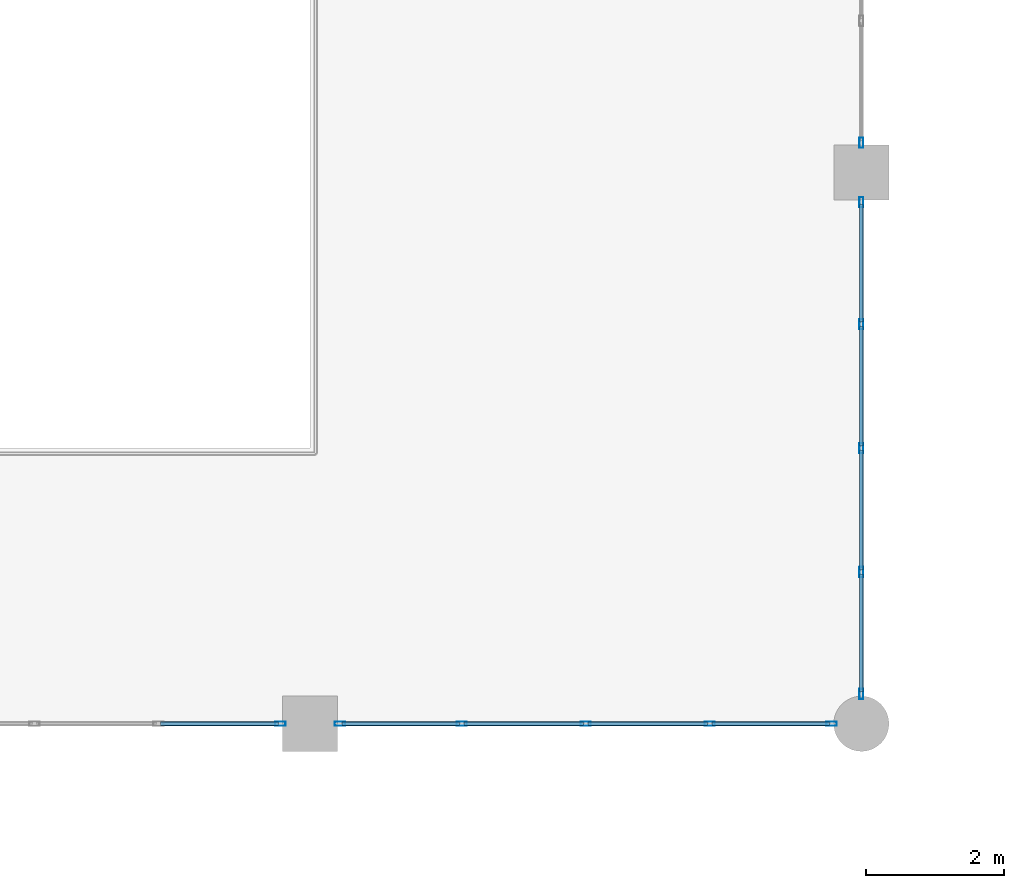
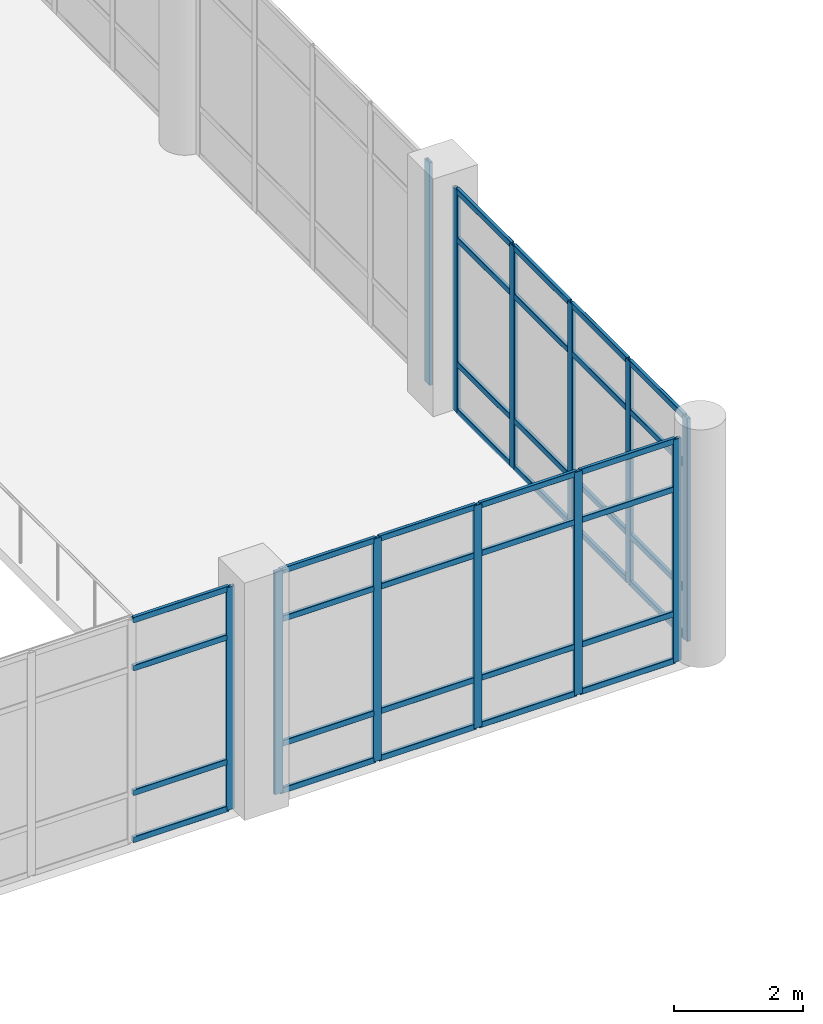
# One storey, part 21 of 42: 48 members, 4 elements without a shape of their own.
"""IFC4 building model written with IfcOpenShell, lengths in metres."""

from ifc_helpers import new_model, si_unit, direction, frame, origin, origin_2d, place, context, subcontext, project, spatial, hollow_rectangle, extrude, material, material_profile, profile_set, type_object, element, aggregate, save


model = new_model("IFC4")

# Units and contexts
model_context = context("Model", 3, precision=1e-05, world=origin(), true_north=direction((0.0, 1.0)))
body_context = subcontext(model_context, "Body", "Model", "MODEL_VIEW")
ifc_project = project(units=[si_unit("LENGTHUNIT", "METRE"), si_unit("AREAUNIT", "SQUARE_METRE"), si_unit("VOLUMEUNIT", "CUBIC_METRE"), si_unit("PLANEANGLEUNIT", "RADIAN"), si_unit("MASSUNIT", "GRAM", prefix="KILO")], contexts=[model_context])

# Site, building, storey
site_placement = place(None, origin())
site = spatial("IfcSite", under=ifc_project, at=site_placement, CompositionType="ELEMENT")
building_placement = place(site_placement, origin())
building = spatial("IfcBuilding", under=site, at=building_placement, Name="Solmirada Galleria", CompositionType="ELEMENT")
storey_placement = place(building_placement, frame((0.0, 0.0, 28.39990234375)))
storey = spatial("IfcBuildingStorey", under=building, at=storey_placement, Name="L06", CompositionType="ELEMENT", Elevation=28.39990234375)

# Curtain wall, member
ifc_material_1 = material(Name="Impact-resistant low-E double glazing", Category="glass")
curtain_wall_type = type_object("IfcCurtainWallType", Name="CW-FZ3-L06-B4-L072", PredefinedType="NOTDEFINED", material=ifc_material_1)
curtain_wall_1_placement = place(storey_placement, origin())
curtain_wall_1 = element("IfcCurtainWall", 1, at=curtain_wall_1_placement, inside=storey, type_object=curtain_wall_type, Name="Terrace and arcade storefront CW-L06-194", PredefinedType="NOTDEFINED")
ifc_material_2 = material(Name="Anodised aluminium framing", Category="aluminium")
ifc_material_profile_1 = material_profile(ifc_material_2, hollow_rectangle(XDim=0.06005859375, YDim=0.14990234375, WallThickness=0.00341796875, InnerFilletRadius=0.00341796875, OuterFilletRadius=0.007080078125, at=origin_2d()), Name="ALU-MULL-150X60")
ifc_profile_set_1 = profile_set([ifc_material_profile_1], Name="Anodised aluminium framing")
member_type_1 = type_object("IfcMemberType", Name="CW-MULL-150", PredefinedType="MULLION", material=ifc_profile_set_1)
member_1_placement = place(storey_placement, frame((112.0, 56.431884765625, 0.0), z_axis=(0.0, 0.0, 1.0), x_axis=(1.0, 0.0, 0.0)))
member_1 = element("IfcMember", 2, at=member_1_placement, type_object=member_type_1, Name="CW38 mullion 5", PredefinedType="MULLION", context=body_context, shape_type="SweptSolid", body=[
    extrude(hollow_rectangle(XDim=0.06005859375, YDim=0.14990234375, WallThickness=0.00341796875, InnerFilletRadius=0.00341796875, OuterFilletRadius=0.007080078125, at=origin_2d()), origin(), (0.0, 0.0, 1.0), 4.22021484375),
])
aggregate(curtain_wall_1, [member_1])

# Curtain wall, members
curtain_wall_2_placement = place(storey_placement, origin())
curtain_wall_2 = element("IfcCurtainWall", 3, at=curtain_wall_2_placement, inside=storey, type_object=curtain_wall_type, Name="Terrace and arcade storefront CW-L06-195", PredefinedType="NOTDEFINED")
member_2_placement = place(storey_placement, frame((112.0, 55.568115234375, 0.0), z_axis=(0.0, 0.0, 1.0), x_axis=(1.0, 0.0, 0.0)))
member_2 = element("IfcMember", 4, at=member_2_placement, type_object=member_type_1, Name="CW38 mullion 1", PredefinedType="MULLION", context=body_context, shape_type="SweptSolid", body=[
    extrude(hollow_rectangle(XDim=0.06005859375, YDim=0.14990234375, WallThickness=0.00341796875, InnerFilletRadius=0.00341796875, OuterFilletRadius=0.007080078125, at=origin_2d()), origin(), (0.0, 0.0, 1.0), 4.22021484375),
])
member_3_placement = place(storey_placement, frame((112.0, 53.799072265625, 0.0), z_axis=(0.0, 0.0, 1.0), x_axis=(1.0, 0.0, 0.0)))
member_3 = element("IfcMember", 5, at=member_3_placement, type_object=member_type_1, Name="CW38 mullion 2", PredefinedType="MULLION", context=body_context, shape_type="SweptSolid", body=[
    extrude(hollow_rectangle(XDim=0.06005859375, YDim=0.14990234375, WallThickness=0.00341796875, InnerFilletRadius=0.00341796875, OuterFilletRadius=0.007080078125, at=origin_2d()), origin(), (0.0, 0.0, 1.0), 4.22021484375),
])
member_4_placement = place(storey_placement, frame((112.0, 52.0, 0.0), z_axis=(0.0, 0.0, 1.0), x_axis=(1.0, 0.0, 0.0)))
member_4 = element("IfcMember", 6, at=member_4_placement, type_object=member_type_1, Name="CW38 mullion 3", PredefinedType="MULLION", context=body_context, shape_type="SweptSolid", body=[
    extrude(hollow_rectangle(XDim=0.06005859375, YDim=0.14990234375, WallThickness=0.00341796875, InnerFilletRadius=0.00341796875, OuterFilletRadius=0.007080078125, at=origin_2d()), origin(), (0.0, 0.0, 1.0), 4.22021484375),
])
member_5_placement = place(storey_placement, frame((112.0, 50.200927734375, 0.0), z_axis=(0.0, 0.0, 1.0), x_axis=(1.0, 0.0, 0.0)))
member_5 = element("IfcMember", 7, at=member_5_placement, type_object=member_type_1, Name="CW38 mullion 4", PredefinedType="MULLION", context=body_context, shape_type="SweptSolid", body=[
    extrude(hollow_rectangle(XDim=0.06005859375, YDim=0.14990234375, WallThickness=0.00341796875, InnerFilletRadius=0.00341796875, OuterFilletRadius=0.007080078125, at=origin_2d()), origin(), (0.0, 0.0, 1.0), 4.22021484375),
])
member_6_placement = place(storey_placement, frame((112.0, 48.431884765625, 0.0), z_axis=(0.0, 0.0, 1.0), x_axis=(1.0, 0.0, 0.0)))
member_6 = element("IfcMember", 8, at=member_6_placement, type_object=member_type_1, Name="CW38 mullion 5", PredefinedType="MULLION", context=body_context, shape_type="SweptSolid", body=[
    extrude(hollow_rectangle(XDim=0.06005859375, YDim=0.14990234375, WallThickness=0.00341796875, InnerFilletRadius=0.00341796875, OuterFilletRadius=0.007080078125, at=origin_2d()), origin(), (0.0, 0.0, 1.0), 4.22021484375),
])

curtain_wall_3_placement = place(storey_placement, origin())
curtain_wall_3 = element("IfcCurtainWall", 9, at=curtain_wall_3_placement, inside=storey, type_object=curtain_wall_type, Name="Terrace and arcade storefront CW-L06-196", PredefinedType="NOTDEFINED")
member_7_placement = place(storey_placement, frame((111.568115234375, 48.0, 0.0), z_axis=(0.0, 0.0, 1.0), x_axis=(0.0, -1.0, 0.0)))
member_7 = element("IfcMember", 10, at=member_7_placement, type_object=member_type_1, Name="CW38 mullion 1", PredefinedType="MULLION", context=body_context, shape_type="SweptSolid", body=[
    extrude(hollow_rectangle(XDim=0.06005859375, YDim=0.14990234375, WallThickness=0.00341796875, InnerFilletRadius=0.00341796875, OuterFilletRadius=0.007080078125, at=origin_2d()), origin(), (0.0, 0.0, 1.0), 4.22021484375),
])
member_8_placement = place(storey_placement, frame((109.799072265625, 48.0, 0.0), z_axis=(0.0, 0.0, 1.0), x_axis=(0.0, -1.0, 0.0)))
member_8 = element("IfcMember", 11, at=member_8_placement, type_object=member_type_1, Name="CW38 mullion 2", PredefinedType="MULLION", context=body_context, shape_type="SweptSolid", body=[
    extrude(hollow_rectangle(XDim=0.06005859375, YDim=0.14990234375, WallThickness=0.00341796875, InnerFilletRadius=0.00341796875, OuterFilletRadius=0.007080078125, at=origin_2d()), origin(), (0.0, 0.0, 1.0), 4.22021484375),
])
member_9_placement = place(storey_placement, frame((108.0, 48.0, 0.0), z_axis=(0.0, 0.0, 1.0), x_axis=(0.0, -1.0, 0.0)))
member_9 = element("IfcMember", 12, at=member_9_placement, type_object=member_type_1, Name="CW38 mullion 3", PredefinedType="MULLION", context=body_context, shape_type="SweptSolid", body=[
    extrude(hollow_rectangle(XDim=0.06005859375, YDim=0.14990234375, WallThickness=0.00341796875, InnerFilletRadius=0.00341796875, OuterFilletRadius=0.007080078125, at=origin_2d()), origin(), (0.0, 0.0, 1.0), 4.22021484375),
])
member_10_placement = place(storey_placement, frame((106.200927734375, 48.0, 0.0), z_axis=(0.0, 0.0, 1.0), x_axis=(0.0, -1.0, 0.0)))
member_10 = element("IfcMember", 13, at=member_10_placement, type_object=member_type_1, Name="CW38 mullion 4", PredefinedType="MULLION", context=body_context, shape_type="SweptSolid", body=[
    extrude(hollow_rectangle(XDim=0.06005859375, YDim=0.14990234375, WallThickness=0.00341796875, InnerFilletRadius=0.00341796875, OuterFilletRadius=0.007080078125, at=origin_2d()), origin(), (0.0, 0.0, 1.0), 4.22021484375),
])
member_11_placement = place(storey_placement, frame((104.431884765625, 48.0, 0.0), z_axis=(0.0, 0.0, 1.0), x_axis=(0.0, -1.0, 0.0)))
member_11 = element("IfcMember", 14, at=member_11_placement, type_object=member_type_1, Name="CW38 mullion 5", PredefinedType="MULLION", context=body_context, shape_type="SweptSolid", body=[
    extrude(hollow_rectangle(XDim=0.06005859375, YDim=0.14990234375, WallThickness=0.00341796875, InnerFilletRadius=0.00341796875, OuterFilletRadius=0.007080078125, at=origin_2d()), origin(), (0.0, 0.0, 1.0), 4.22021484375),
])

# Curtain wall, member
curtain_wall_4_placement = place(storey_placement, origin())
curtain_wall_4 = element("IfcCurtainWall", 15, at=curtain_wall_4_placement, inside=storey, type_object=curtain_wall_type, Name="Terrace and arcade storefront CW-L06-197", PredefinedType="NOTDEFINED")
member_12_placement = place(storey_placement, frame((103.568115234375, 48.0, 0.0), z_axis=(0.0, 0.0, 1.0), x_axis=(0.0, -1.0, 0.0)))
member_12 = element("IfcMember", 16, at=member_12_placement, type_object=member_type_1, Name="CW38 mullion 1", PredefinedType="MULLION", context=body_context, shape_type="SweptSolid", body=[
    extrude(hollow_rectangle(XDim=0.06005859375, YDim=0.14990234375, WallThickness=0.00341796875, InnerFilletRadius=0.00341796875, OuterFilletRadius=0.007080078125, at=origin_2d()), origin(), (0.0, 0.0, 1.0), 4.22021484375),
])

# Member
ifc_material_profile_2 = material_profile(ifc_material_2, hollow_rectangle(XDim=0.06005859375, YDim=0.110107421875, WallThickness=0.003173828125, InnerFilletRadius=0.003173828125, OuterFilletRadius=0.00634765625, at=origin_2d()), Name="ALU-TRAN-110X60")
ifc_profile_set_2 = profile_set([ifc_material_profile_2], Name="Anodised aluminium framing")
member_type_2 = type_object("IfcMemberType", Name="CW-TRAN-110", PredefinedType="USERDEFINED", material=ifc_profile_set_2)
member_13_placement = place(storey_placement, frame((112.0, 55.5380859375, 0.030029296875), z_axis=(0.0, -1.0, 0.0), x_axis=(1.0, 0.0, 0.0)))
member_13 = element("IfcMember", 17, at=member_13_placement, type_object=member_type_2, Name="CW38 transom 1.1", ObjectType="TRANSOM", PredefinedType="USERDEFINED", context=body_context, shape_type="SweptSolid", body=[
    extrude(hollow_rectangle(XDim=0.06005859375, YDim=0.110107421875, WallThickness=0.003173828125, InnerFilletRadius=0.003173828125, OuterFilletRadius=0.00634765625, at=origin_2d()), origin(), (0.0, 0.0, 1.0), 1.708984375),
])

member_14_placement = place(storey_placement, frame((112.0, 55.5380859375, 0.920166015625), z_axis=(0.0, -1.0, 0.0), x_axis=(1.0, 0.0, 0.0)))
member_14 = element("IfcMember", 18, at=member_14_placement, type_object=member_type_2, Name="CW38 transom 1.2", ObjectType="TRANSOM", PredefinedType="USERDEFINED", context=body_context, shape_type="SweptSolid", body=[
    extrude(hollow_rectangle(XDim=0.06005859375, YDim=0.110107421875, WallThickness=0.003173828125, InnerFilletRadius=0.003173828125, OuterFilletRadius=0.00634765625, at=origin_2d()), origin(), (0.0, 0.0, 1.0), 1.708984375),
])

member_15_placement = place(storey_placement, frame((112.0, 55.5380859375, 3.280029296875), z_axis=(0.0, -1.0, 0.0), x_axis=(1.0, 0.0, 0.0)))
member_15 = element("IfcMember", 19, at=member_15_placement, type_object=member_type_2, Name="CW38 transom 1.3", ObjectType="TRANSOM", PredefinedType="USERDEFINED", context=body_context, shape_type="SweptSolid", body=[
    extrude(hollow_rectangle(XDim=0.06005859375, YDim=0.110107421875, WallThickness=0.003173828125, InnerFilletRadius=0.003173828125, OuterFilletRadius=0.00634765625, at=origin_2d()), origin(), (0.0, 0.0, 1.0), 1.708984375),
])

member_16_placement = place(storey_placement, frame((112.0, 55.5380859375, 4.190185546875), z_axis=(0.0, -1.0, 0.0), x_axis=(1.0, 0.0, 0.0)))
member_16 = element("IfcMember", 20, at=member_16_placement, type_object=member_type_2, Name="CW38 transom 1.4", ObjectType="TRANSOM", PredefinedType="USERDEFINED", context=body_context, shape_type="SweptSolid", body=[
    extrude(hollow_rectangle(XDim=0.06005859375, YDim=0.110107421875, WallThickness=0.003173828125, InnerFilletRadius=0.003173828125, OuterFilletRadius=0.00634765625, at=origin_2d()), origin(), (0.0, 0.0, 1.0), 1.708984375),
])

member_17_placement = place(storey_placement, frame((112.0, 53.76904296875, 0.030029296875), z_axis=(0.0, -1.0, 0.0), x_axis=(1.0, 0.0, 0.0)))
member_17 = element("IfcMember", 21, at=member_17_placement, type_object=member_type_2, Name="CW38 transom 2.1", ObjectType="TRANSOM", PredefinedType="USERDEFINED", context=body_context, shape_type="SweptSolid", body=[
    extrude(hollow_rectangle(XDim=0.06005859375, YDim=0.110107421875, WallThickness=0.003173828125, InnerFilletRadius=0.003173828125, OuterFilletRadius=0.00634765625, at=origin_2d()), origin(), (0.0, 0.0, 1.0), 1.739013671875),
])

member_18_placement = place(storey_placement, frame((112.0, 53.76904296875, 0.920166015625), z_axis=(0.0, -1.0, 0.0), x_axis=(1.0, 0.0, 0.0)))
member_18 = element("IfcMember", 22, at=member_18_placement, type_object=member_type_2, Name="CW38 transom 2.2", ObjectType="TRANSOM", PredefinedType="USERDEFINED", context=body_context, shape_type="SweptSolid", body=[
    extrude(hollow_rectangle(XDim=0.06005859375, YDim=0.110107421875, WallThickness=0.003173828125, InnerFilletRadius=0.003173828125, OuterFilletRadius=0.00634765625, at=origin_2d()), origin(), (0.0, 0.0, 1.0), 1.739013671875),
])

member_19_placement = place(storey_placement, frame((112.0, 53.76904296875, 3.280029296875), z_axis=(0.0, -1.0, 0.0), x_axis=(1.0, 0.0, 0.0)))
member_19 = element("IfcMember", 23, at=member_19_placement, type_object=member_type_2, Name="CW38 transom 2.3", ObjectType="TRANSOM", PredefinedType="USERDEFINED", context=body_context, shape_type="SweptSolid", body=[
    extrude(hollow_rectangle(XDim=0.06005859375, YDim=0.110107421875, WallThickness=0.003173828125, InnerFilletRadius=0.003173828125, OuterFilletRadius=0.00634765625, at=origin_2d()), origin(), (0.0, 0.0, 1.0), 1.739013671875),
])

member_20_placement = place(storey_placement, frame((112.0, 53.76904296875, 4.190185546875), z_axis=(0.0, -1.0, 0.0), x_axis=(1.0, 0.0, 0.0)))
member_20 = element("IfcMember", 24, at=member_20_placement, type_object=member_type_2, Name="CW38 transom 2.4", ObjectType="TRANSOM", PredefinedType="USERDEFINED", context=body_context, shape_type="SweptSolid", body=[
    extrude(hollow_rectangle(XDim=0.06005859375, YDim=0.110107421875, WallThickness=0.003173828125, InnerFilletRadius=0.003173828125, OuterFilletRadius=0.00634765625, at=origin_2d()), origin(), (0.0, 0.0, 1.0), 1.739013671875),
])

member_21_placement = place(storey_placement, frame((112.0, 51.969970703125, 0.030029296875), z_axis=(0.0, -1.0, 0.0), x_axis=(1.0, 0.0, 0.0)))
member_21 = element("IfcMember", 25, at=member_21_placement, type_object=member_type_2, Name="CW38 transom 3.1", ObjectType="TRANSOM", PredefinedType="USERDEFINED", context=body_context, shape_type="SweptSolid", body=[
    extrude(hollow_rectangle(XDim=0.06005859375, YDim=0.110107421875, WallThickness=0.003173828125, InnerFilletRadius=0.003173828125, OuterFilletRadius=0.00634765625, at=origin_2d()), origin(), (0.0, 0.0, 1.0), 1.739013671875),
])

member_22_placement = place(storey_placement, frame((112.0, 51.969970703125, 0.920166015625), z_axis=(0.0, -1.0, 0.0), x_axis=(1.0, 0.0, 0.0)))
member_22 = element("IfcMember", 26, at=member_22_placement, type_object=member_type_2, Name="CW38 transom 3.2", ObjectType="TRANSOM", PredefinedType="USERDEFINED", context=body_context, shape_type="SweptSolid", body=[
    extrude(hollow_rectangle(XDim=0.06005859375, YDim=0.110107421875, WallThickness=0.003173828125, InnerFilletRadius=0.003173828125, OuterFilletRadius=0.00634765625, at=origin_2d()), origin(), (0.0, 0.0, 1.0), 1.739013671875),
])

member_23_placement = place(storey_placement, frame((112.0, 51.969970703125, 3.280029296875), z_axis=(0.0, -1.0, 0.0), x_axis=(1.0, 0.0, 0.0)))
member_23 = element("IfcMember", 27, at=member_23_placement, type_object=member_type_2, Name="CW38 transom 3.3", ObjectType="TRANSOM", PredefinedType="USERDEFINED", context=body_context, shape_type="SweptSolid", body=[
    extrude(hollow_rectangle(XDim=0.06005859375, YDim=0.110107421875, WallThickness=0.003173828125, InnerFilletRadius=0.003173828125, OuterFilletRadius=0.00634765625, at=origin_2d()), origin(), (0.0, 0.0, 1.0), 1.739013671875),
])

member_24_placement = place(storey_placement, frame((112.0, 51.969970703125, 4.190185546875), z_axis=(0.0, -1.0, 0.0), x_axis=(1.0, 0.0, 0.0)))
member_24 = element("IfcMember", 28, at=member_24_placement, type_object=member_type_2, Name="CW38 transom 3.4", ObjectType="TRANSOM", PredefinedType="USERDEFINED", context=body_context, shape_type="SweptSolid", body=[
    extrude(hollow_rectangle(XDim=0.06005859375, YDim=0.110107421875, WallThickness=0.003173828125, InnerFilletRadius=0.003173828125, OuterFilletRadius=0.00634765625, at=origin_2d()), origin(), (0.0, 0.0, 1.0), 1.739013671875),
])

member_25_placement = place(storey_placement, frame((112.0, 50.1708984375, 0.030029296875), z_axis=(0.0, -1.0, 0.0), x_axis=(1.0, 0.0, 0.0)))
member_25 = element("IfcMember", 29, at=member_25_placement, type_object=member_type_2, Name="CW38 transom 4.1", ObjectType="TRANSOM", PredefinedType="USERDEFINED", context=body_context, shape_type="SweptSolid", body=[
    extrude(hollow_rectangle(XDim=0.06005859375, YDim=0.110107421875, WallThickness=0.003173828125, InnerFilletRadius=0.003173828125, OuterFilletRadius=0.00634765625, at=origin_2d()), origin(), (0.0, 0.0, 1.0), 1.708984375),
])

member_26_placement = place(storey_placement, frame((112.0, 50.1708984375, 0.920166015625), z_axis=(0.0, -1.0, 0.0), x_axis=(1.0, 0.0, 0.0)))
member_26 = element("IfcMember", 30, at=member_26_placement, type_object=member_type_2, Name="CW38 transom 4.2", ObjectType="TRANSOM", PredefinedType="USERDEFINED", context=body_context, shape_type="SweptSolid", body=[
    extrude(hollow_rectangle(XDim=0.06005859375, YDim=0.110107421875, WallThickness=0.003173828125, InnerFilletRadius=0.003173828125, OuterFilletRadius=0.00634765625, at=origin_2d()), origin(), (0.0, 0.0, 1.0), 1.708984375),
])

member_27_placement = place(storey_placement, frame((112.0, 50.1708984375, 3.280029296875), z_axis=(0.0, -1.0, 0.0), x_axis=(1.0, 0.0, 0.0)))
member_27 = element("IfcMember", 31, at=member_27_placement, type_object=member_type_2, Name="CW38 transom 4.3", ObjectType="TRANSOM", PredefinedType="USERDEFINED", context=body_context, shape_type="SweptSolid", body=[
    extrude(hollow_rectangle(XDim=0.06005859375, YDim=0.110107421875, WallThickness=0.003173828125, InnerFilletRadius=0.003173828125, OuterFilletRadius=0.00634765625, at=origin_2d()), origin(), (0.0, 0.0, 1.0), 1.708984375),
])

member_28_placement = place(storey_placement, frame((112.0, 50.1708984375, 4.190185546875), z_axis=(0.0, -1.0, 0.0), x_axis=(1.0, 0.0, 0.0)))
member_28 = element("IfcMember", 32, at=member_28_placement, type_object=member_type_2, Name="CW38 transom 4.4", ObjectType="TRANSOM", PredefinedType="USERDEFINED", context=body_context, shape_type="SweptSolid", body=[
    extrude(hollow_rectangle(XDim=0.06005859375, YDim=0.110107421875, WallThickness=0.003173828125, InnerFilletRadius=0.003173828125, OuterFilletRadius=0.00634765625, at=origin_2d()), origin(), (0.0, 0.0, 1.0), 1.708984375),
])

aggregate(curtain_wall_2, [member_2, member_3, member_4, member_5, member_6, member_13, member_14, member_15, member_16, member_17, member_18, member_19, member_20, member_21, member_22, member_23, member_24, member_25, member_26, member_27, member_28])

member_29_placement = place(storey_placement, frame((111.5380859375, 48.0, 0.030029296875), z_axis=(-1.0, 0.0, 0.0), x_axis=(0.0, -1.0, 0.0)))
member_29 = element("IfcMember", 33, at=member_29_placement, type_object=member_type_2, Name="CW38 transom 1.1", ObjectType="TRANSOM", PredefinedType="USERDEFINED", context=body_context, shape_type="SweptSolid", body=[
    extrude(hollow_rectangle(XDim=0.06005859375, YDim=0.110107421875, WallThickness=0.003173828125, InnerFilletRadius=0.003173828125, OuterFilletRadius=0.00634765625, at=origin_2d()), origin(), (0.0, 0.0, 1.0), 1.708984375),
])

member_30_placement = place(storey_placement, frame((111.5380859375, 48.0, 0.920166015625), z_axis=(-1.0, 0.0, 0.0), x_axis=(0.0, -1.0, 0.0)))
member_30 = element("IfcMember", 34, at=member_30_placement, type_object=member_type_2, Name="CW38 transom 1.2", ObjectType="TRANSOM", PredefinedType="USERDEFINED", context=body_context, shape_type="SweptSolid", body=[
    extrude(hollow_rectangle(XDim=0.06005859375, YDim=0.110107421875, WallThickness=0.003173828125, InnerFilletRadius=0.003173828125, OuterFilletRadius=0.00634765625, at=origin_2d()), origin(), (0.0, 0.0, 1.0), 1.708984375),
])

member_31_placement = place(storey_placement, frame((111.5380859375, 48.0, 3.280029296875), z_axis=(-1.0, 0.0, 0.0), x_axis=(0.0, -1.0, 0.0)))
member_31 = element("IfcMember", 35, at=member_31_placement, type_object=member_type_2, Name="CW38 transom 1.3", ObjectType="TRANSOM", PredefinedType="USERDEFINED", context=body_context, shape_type="SweptSolid", body=[
    extrude(hollow_rectangle(XDim=0.06005859375, YDim=0.110107421875, WallThickness=0.003173828125, InnerFilletRadius=0.003173828125, OuterFilletRadius=0.00634765625, at=origin_2d()), origin(), (0.0, 0.0, 1.0), 1.708984375),
])

member_32_placement = place(storey_placement, frame((111.5380859375, 48.0, 4.190185546875), z_axis=(-1.0, 0.0, 0.0), x_axis=(0.0, -1.0, 0.0)))
member_32 = element("IfcMember", 36, at=member_32_placement, type_object=member_type_2, Name="CW38 transom 1.4", ObjectType="TRANSOM", PredefinedType="USERDEFINED", context=body_context, shape_type="SweptSolid", body=[
    extrude(hollow_rectangle(XDim=0.06005859375, YDim=0.110107421875, WallThickness=0.003173828125, InnerFilletRadius=0.003173828125, OuterFilletRadius=0.00634765625, at=origin_2d()), origin(), (0.0, 0.0, 1.0), 1.708984375),
])

member_33_placement = place(storey_placement, frame((109.76904296875, 48.0, 0.030029296875), z_axis=(-1.0, 0.0, 0.0), x_axis=(0.0, -1.0, 0.0)))
member_33 = element("IfcMember", 37, at=member_33_placement, type_object=member_type_2, Name="CW38 transom 2.1", ObjectType="TRANSOM", PredefinedType="USERDEFINED", context=body_context, shape_type="SweptSolid", body=[
    extrude(hollow_rectangle(XDim=0.06005859375, YDim=0.110107421875, WallThickness=0.003173828125, InnerFilletRadius=0.003173828125, OuterFilletRadius=0.00634765625, at=origin_2d()), origin(), (0.0, 0.0, 1.0), 1.739013671875),
])

member_34_placement = place(storey_placement, frame((109.76904296875, 48.0, 0.920166015625), z_axis=(-1.0, 0.0, 0.0), x_axis=(0.0, -1.0, 0.0)))
member_34 = element("IfcMember", 38, at=member_34_placement, type_object=member_type_2, Name="CW38 transom 2.2", ObjectType="TRANSOM", PredefinedType="USERDEFINED", context=body_context, shape_type="SweptSolid", body=[
    extrude(hollow_rectangle(XDim=0.06005859375, YDim=0.110107421875, WallThickness=0.003173828125, InnerFilletRadius=0.003173828125, OuterFilletRadius=0.00634765625, at=origin_2d()), origin(), (0.0, 0.0, 1.0), 1.739013671875),
])

member_35_placement = place(storey_placement, frame((109.76904296875, 48.0, 3.280029296875), z_axis=(-1.0, 0.0, 0.0), x_axis=(0.0, -1.0, 0.0)))
member_35 = element("IfcMember", 39, at=member_35_placement, type_object=member_type_2, Name="CW38 transom 2.3", ObjectType="TRANSOM", PredefinedType="USERDEFINED", context=body_context, shape_type="SweptSolid", body=[
    extrude(hollow_rectangle(XDim=0.06005859375, YDim=0.110107421875, WallThickness=0.003173828125, InnerFilletRadius=0.003173828125, OuterFilletRadius=0.00634765625, at=origin_2d()), origin(), (0.0, 0.0, 1.0), 1.739013671875),
])

member_36_placement = place(storey_placement, frame((109.76904296875, 48.0, 4.190185546875), z_axis=(-1.0, 0.0, 0.0), x_axis=(0.0, -1.0, 0.0)))
member_36 = element("IfcMember", 40, at=member_36_placement, type_object=member_type_2, Name="CW38 transom 2.4", ObjectType="TRANSOM", PredefinedType="USERDEFINED", context=body_context, shape_type="SweptSolid", body=[
    extrude(hollow_rectangle(XDim=0.06005859375, YDim=0.110107421875, WallThickness=0.003173828125, InnerFilletRadius=0.003173828125, OuterFilletRadius=0.00634765625, at=origin_2d()), origin(), (0.0, 0.0, 1.0), 1.739013671875),
])

member_37_placement = place(storey_placement, frame((107.969970703125, 48.0, 0.030029296875), z_axis=(-1.0, 0.0, 0.0), x_axis=(0.0, -1.0, 0.0)))
member_37 = element("IfcMember", 41, at=member_37_placement, type_object=member_type_2, Name="CW38 transom 3.1", ObjectType="TRANSOM", PredefinedType="USERDEFINED", context=body_context, shape_type="SweptSolid", body=[
    extrude(hollow_rectangle(XDim=0.06005859375, YDim=0.110107421875, WallThickness=0.003173828125, InnerFilletRadius=0.003173828125, OuterFilletRadius=0.00634765625, at=origin_2d()), origin(), (0.0, 0.0, 1.0), 1.739013671875),
])

member_38_placement = place(storey_placement, frame((107.969970703125, 48.0, 0.920166015625), z_axis=(-1.0, 0.0, 0.0), x_axis=(0.0, -1.0, 0.0)))
member_38 = element("IfcMember", 42, at=member_38_placement, type_object=member_type_2, Name="CW38 transom 3.2", ObjectType="TRANSOM", PredefinedType="USERDEFINED", context=body_context, shape_type="SweptSolid", body=[
    extrude(hollow_rectangle(XDim=0.06005859375, YDim=0.110107421875, WallThickness=0.003173828125, InnerFilletRadius=0.003173828125, OuterFilletRadius=0.00634765625, at=origin_2d()), origin(), (0.0, 0.0, 1.0), 1.739013671875),
])

member_39_placement = place(storey_placement, frame((107.969970703125, 48.0, 3.280029296875), z_axis=(-1.0, 0.0, 0.0), x_axis=(0.0, -1.0, 0.0)))
member_39 = element("IfcMember", 43, at=member_39_placement, type_object=member_type_2, Name="CW38 transom 3.3", ObjectType="TRANSOM", PredefinedType="USERDEFINED", context=body_context, shape_type="SweptSolid", body=[
    extrude(hollow_rectangle(XDim=0.06005859375, YDim=0.110107421875, WallThickness=0.003173828125, InnerFilletRadius=0.003173828125, OuterFilletRadius=0.00634765625, at=origin_2d()), origin(), (0.0, 0.0, 1.0), 1.739013671875),
])

member_40_placement = place(storey_placement, frame((107.969970703125, 48.0, 4.190185546875), z_axis=(-1.0, 0.0, 0.0), x_axis=(0.0, -1.0, 0.0)))
member_40 = element("IfcMember", 44, at=member_40_placement, type_object=member_type_2, Name="CW38 transom 3.4", ObjectType="TRANSOM", PredefinedType="USERDEFINED", context=body_context, shape_type="SweptSolid", body=[
    extrude(hollow_rectangle(XDim=0.06005859375, YDim=0.110107421875, WallThickness=0.003173828125, InnerFilletRadius=0.003173828125, OuterFilletRadius=0.00634765625, at=origin_2d()), origin(), (0.0, 0.0, 1.0), 1.739013671875),
])

member_41_placement = place(storey_placement, frame((106.1708984375, 48.0, 0.030029296875), z_axis=(-1.0, 0.0, 0.0), x_axis=(0.0, -1.0, 0.0)))
member_41 = element("IfcMember", 45, at=member_41_placement, type_object=member_type_2, Name="CW38 transom 4.1", ObjectType="TRANSOM", PredefinedType="USERDEFINED", context=body_context, shape_type="SweptSolid", body=[
    extrude(hollow_rectangle(XDim=0.06005859375, YDim=0.110107421875, WallThickness=0.003173828125, InnerFilletRadius=0.003173828125, OuterFilletRadius=0.00634765625, at=origin_2d()), origin(), (0.0, 0.0, 1.0), 1.708984375),
])

member_42_placement = place(storey_placement, frame((106.1708984375, 48.0, 0.920166015625), z_axis=(-1.0, 0.0, 0.0), x_axis=(0.0, -1.0, 0.0)))
member_42 = element("IfcMember", 46, at=member_42_placement, type_object=member_type_2, Name="CW38 transom 4.2", ObjectType="TRANSOM", PredefinedType="USERDEFINED", context=body_context, shape_type="SweptSolid", body=[
    extrude(hollow_rectangle(XDim=0.06005859375, YDim=0.110107421875, WallThickness=0.003173828125, InnerFilletRadius=0.003173828125, OuterFilletRadius=0.00634765625, at=origin_2d()), origin(), (0.0, 0.0, 1.0), 1.708984375),
])

member_43_placement = place(storey_placement, frame((106.1708984375, 48.0, 3.280029296875), z_axis=(-1.0, 0.0, 0.0), x_axis=(0.0, -1.0, 0.0)))
member_43 = element("IfcMember", 47, at=member_43_placement, type_object=member_type_2, Name="CW38 transom 4.3", ObjectType="TRANSOM", PredefinedType="USERDEFINED", context=body_context, shape_type="SweptSolid", body=[
    extrude(hollow_rectangle(XDim=0.06005859375, YDim=0.110107421875, WallThickness=0.003173828125, InnerFilletRadius=0.003173828125, OuterFilletRadius=0.00634765625, at=origin_2d()), origin(), (0.0, 0.0, 1.0), 1.708984375),
])

member_44_placement = place(storey_placement, frame((106.1708984375, 48.0, 4.190185546875), z_axis=(-1.0, 0.0, 0.0), x_axis=(0.0, -1.0, 0.0)))
member_44 = element("IfcMember", 48, at=member_44_placement, type_object=member_type_2, Name="CW38 transom 4.4", ObjectType="TRANSOM", PredefinedType="USERDEFINED", context=body_context, shape_type="SweptSolid", body=[
    extrude(hollow_rectangle(XDim=0.06005859375, YDim=0.110107421875, WallThickness=0.003173828125, InnerFilletRadius=0.003173828125, OuterFilletRadius=0.00634765625, at=origin_2d()), origin(), (0.0, 0.0, 1.0), 1.708984375),
])

aggregate(curtain_wall_3, [member_7, member_8, member_9, member_10, member_11, member_29, member_30, member_31, member_32, member_33, member_34, member_35, member_36, member_37, member_38, member_39, member_40, member_41, member_42, member_43, member_44])

member_45_placement = place(storey_placement, frame((103.5380859375, 48.0, 0.030029296875), z_axis=(-1.0, 0.0, 0.0), x_axis=(0.0, -1.0, 0.0)))
member_45 = element("IfcMember", 49, at=member_45_placement, type_object=member_type_2, Name="CW38 transom 1.1", ObjectType="TRANSOM", PredefinedType="USERDEFINED", context=body_context, shape_type="SweptSolid", body=[
    extrude(hollow_rectangle(XDim=0.06005859375, YDim=0.110107421875, WallThickness=0.003173828125, InnerFilletRadius=0.003173828125, OuterFilletRadius=0.00634765625, at=origin_2d()), origin(), (0.0, 0.0, 1.0), 1.708984375),
])

member_46_placement = place(storey_placement, frame((103.5380859375, 48.0, 0.920166015625), z_axis=(-1.0, 0.0, 0.0), x_axis=(0.0, -1.0, 0.0)))
member_46 = element("IfcMember", 50, at=member_46_placement, type_object=member_type_2, Name="CW38 transom 1.2", ObjectType="TRANSOM", PredefinedType="USERDEFINED", context=body_context, shape_type="SweptSolid", body=[
    extrude(hollow_rectangle(XDim=0.06005859375, YDim=0.110107421875, WallThickness=0.003173828125, InnerFilletRadius=0.003173828125, OuterFilletRadius=0.00634765625, at=origin_2d()), origin(), (0.0, 0.0, 1.0), 1.708984375),
])

member_47_placement = place(storey_placement, frame((103.5380859375, 48.0, 3.280029296875), z_axis=(-1.0, 0.0, 0.0), x_axis=(0.0, -1.0, 0.0)))
member_47 = element("IfcMember", 51, at=member_47_placement, type_object=member_type_2, Name="CW38 transom 1.3", ObjectType="TRANSOM", PredefinedType="USERDEFINED", context=body_context, shape_type="SweptSolid", body=[
    extrude(hollow_rectangle(XDim=0.06005859375, YDim=0.110107421875, WallThickness=0.003173828125, InnerFilletRadius=0.003173828125, OuterFilletRadius=0.00634765625, at=origin_2d()), origin(), (0.0, 0.0, 1.0), 1.708984375),
])

member_48_placement = place(storey_placement, frame((103.5380859375, 48.0, 4.190185546875), z_axis=(-1.0, 0.0, 0.0), x_axis=(0.0, -1.0, 0.0)))
member_48 = element("IfcMember", 52, at=member_48_placement, type_object=member_type_2, Name="CW38 transom 1.4", ObjectType="TRANSOM", PredefinedType="USERDEFINED", context=body_context, shape_type="SweptSolid", body=[
    extrude(hollow_rectangle(XDim=0.06005859375, YDim=0.110107421875, WallThickness=0.003173828125, InnerFilletRadius=0.003173828125, OuterFilletRadius=0.00634765625, at=origin_2d()), origin(), (0.0, 0.0, 1.0), 1.708984375),
])

aggregate(curtain_wall_4, [member_12, member_45, member_46, member_47, member_48])

save(model, "model.ifc")
